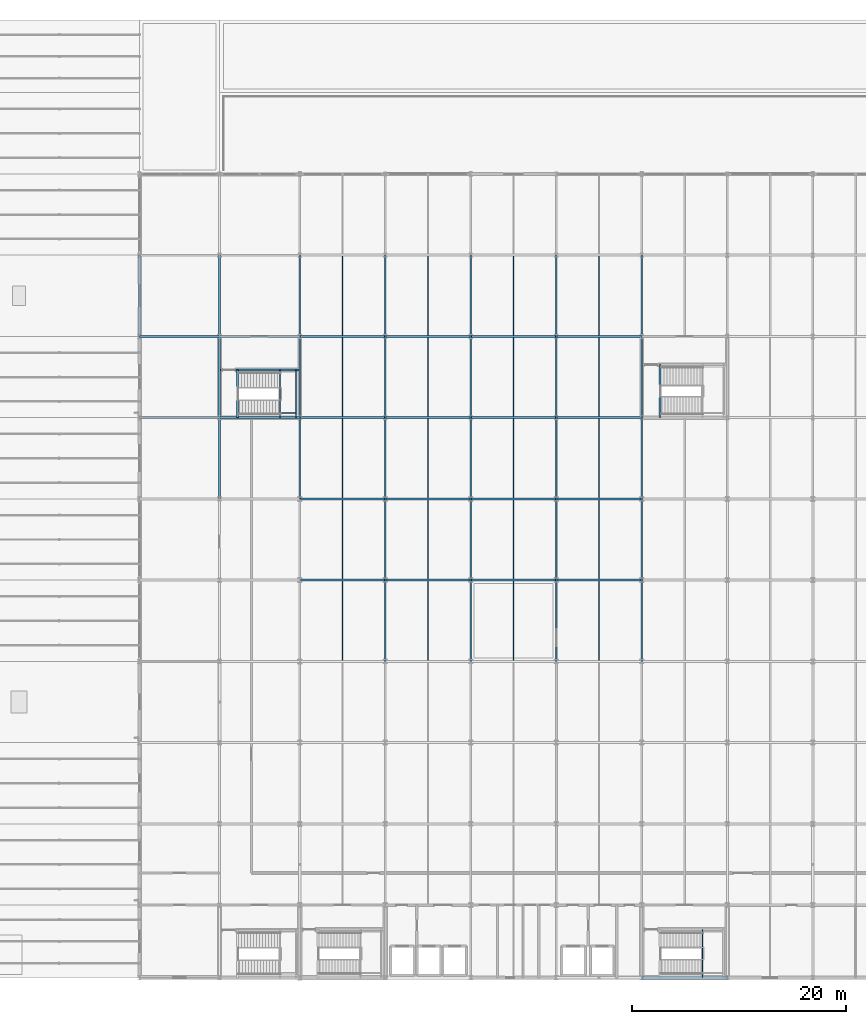
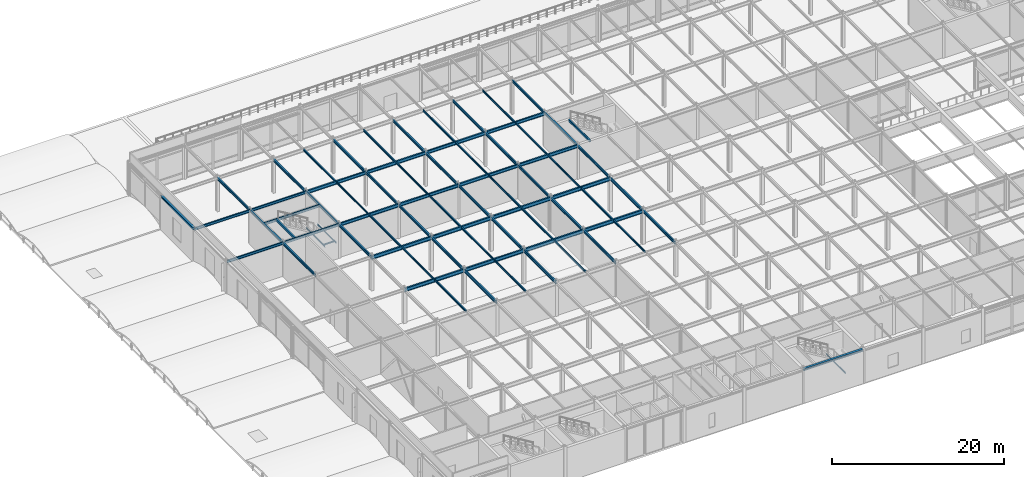
# One storey, part 21 of 79: 75 beams.
"""IFC4 building model written with IfcOpenShell, lengths in metres."""

from ifc_helpers import new_model, si_unit, direction, frame, origin, origin_2d, place, context, subcontext, project, spatial, hollow_rectangle, i_section, extrude, material, material_profile, profile_set, type_object, element, save


model = new_model("IFC4")

# Units and contexts
model_context = context("Model", 3, precision=1e-05, world=origin(), true_north=direction((0.0, 1.0)))
body_context = subcontext(model_context, "Body", "Model", "MODEL_VIEW")
ifc_project = project(units=[si_unit("LENGTHUNIT", "METRE"), si_unit("AREAUNIT", "SQUARE_METRE"), si_unit("VOLUMEUNIT", "CUBIC_METRE"), si_unit("PLANEANGLEUNIT", "RADIAN"), si_unit("MASSUNIT", "GRAM", prefix="KILO")], contexts=[model_context])

# Site, building, storey
site_placement = place(None, origin())
site = spatial("IfcSite", under=ifc_project, at=site_placement, CompositionType="ELEMENT")
building_placement = place(site_placement, origin())
building = spatial("IfcBuilding", under=site, at=building_placement, Name="Shalkamar Park Central Library", CompositionType="ELEMENT")
storey_placement = place(building_placement, frame((0.0, 0.0, 10.5)))
storey = spatial("IfcBuildingStorey", under=building, at=storey_placement, Name="L03", CompositionType="ELEMENT", Elevation=10.5)

# Beams
ifc_material = material(Name="Steel S355", Category="steel")
ifc_material_profile_1 = material_profile(ifc_material, i_section(OverallWidth=0.10009765625, OverallDepth=0.199951171875, WebThickness=0.005615234375, FlangeThickness=0.008544921875, FilletRadius=0.011962890625, at=origin_2d()), Name="IPE 200")
ifc_profile_set_1 = profile_set([ifc_material_profile_1], Name="Steel S355")
beam_type_1 = type_object("IfcBeamType", Name="Composite Floor Joist IPE200", PredefinedType="JOIST", material=ifc_profile_set_1)
beam_1_placement = place(storey_placement, frame((202.679931640625, 248.39990234375, 2.169921875), z_axis=(0.0, 1.0, 0.0), x_axis=(-1.0, 0.0, 0.0)))
element("IfcBeam", 1, at=beam_1_placement, inside=storey, type_object=beam_type_1, Name="Stair Half-Landing Beam ST-T2-L03-1", PredefinedType="JOIST", context=body_context, shape_type="SweptSolid", body=[
    extrude(i_section(OverallWidth=0.10009765625, OverallDepth=0.199951171875, WebThickness=0.005615234375, FlangeThickness=0.008544921875, FilletRadius=0.011962890625, at=origin_2d()), origin(), (0.0, 0.0, 1.0), 4.5),
])
for number, where, z_axis, x_axis, name in (
    (2, (163.155029296875, 300.800048828125, 2.169921875), (0.0, 1.0, 0.0), (-1.0, 0.0, 0.0), "Stair Half-Landing Beam ST-P2-L03-1"),
    (3, (164.64501953125, 300.800048828125, 2.169921875), (0.0, 1.0, 0.0), (-1.0, 0.0, 0.0), "Stair Half-Landing Beam ST-P2-L03-2"),
):
    element("IfcBeam", number, at=place(storey_placement, frame(where, z_axis=z_axis, x_axis=x_axis)), inside=storey, type_object=beam_type_1, Name=name, PredefinedType="JOIST", context=body_context, shape_type="SweptSolid", body=[
        extrude(i_section(OverallWidth=0.10009765625, OverallDepth=0.199951171875, WebThickness=0.005615234375, FlangeThickness=0.008544921875, FilletRadius=0.011962890625, at=origin_2d()), origin(), (0.0, 0.0, 1.0), 4.449951171875),
    ])
beam_2_placement = place(storey_placement, frame((163.155029296875, 301.22509765625, 2.169921875), z_axis=(1.0, 0.0, 0.0), x_axis=(0.0, 1.0, 0.0)))
element("IfcBeam", 4, at=beam_2_placement, inside=storey, type_object=beam_type_1, Name="Stair Half-Landing Cross Tie ST-P2-L03-3", PredefinedType="JOIST", context=body_context, shape_type="SweptSolid", body=[
    extrude(i_section(OverallWidth=0.10009765625, OverallDepth=0.199951171875, WebThickness=0.005615234375, FlangeThickness=0.008544921875, FilletRadius=0.011962890625, at=origin_2d()), origin(), (0.0, 0.0, 1.0), 1.489990234375),
])
ifc_material_profile_2 = material_profile(ifc_material, i_section(OverallWidth=0.1201171875, OverallDepth=0.239990234375, WebThickness=0.006103515625, FlangeThickness=0.009765625, FilletRadius=0.014892578125, at=origin_2d()), Name="IPE 240")
ifc_profile_set_2 = profile_set([ifc_material_profile_2], Name="Steel S355")
beam_type_2 = type_object("IfcBeamType", Name="Composite Floor Joist IPE240", PredefinedType="JOIST", material=ifc_profile_set_2)
for number, where, z_axis, x_axis, name in (
    (5, (169.0, 300.89306640625, 4.719970703125), (0.0, 1.0, 0.0), (-1.0, 0.0, 0.0), "Composite Joist 07/J-1 (L03)"),
    (6, (177.0, 300.89306640625, 4.719970703125), (0.0, 1.0, 0.0), (-1.0, 0.0, 0.0), "Composite Joist 08/J-1 (L03)"),
    (7, (185.0, 300.89306640625, 4.719970703125), (0.0, 1.0, 0.0), (-1.0, 0.0, 0.0), "Composite Joist 09/J-1 (L03)"),
    (8, (193.0, 300.89306640625, 4.719970703125), (0.0, 1.0, 0.0), (-1.0, 0.0, 0.0), "Composite Joist 10/J-1 (L03)"),
):
    element("IfcBeam", number, at=place(storey_placement, frame(where, z_axis=z_axis, x_axis=x_axis)), inside=storey, type_object=beam_type_2, Name=name, PredefinedType="JOIST", context=body_context, shape_type="SweptSolid", body=[
        extrude(i_section(OverallWidth=0.1201171875, OverallDepth=0.239990234375, WebThickness=0.006103515625, FlangeThickness=0.009765625, FilletRadius=0.014892578125, at=origin_2d()), origin(), (0.0, 0.0, 1.0), 7.413818359375),
    ])
ifc_material_profile_3 = material_profile(ifc_material, i_section(OverallWidth=0.135009765625, OverallDepth=0.27001953125, WebThickness=0.006591796875, FlangeThickness=0.01025390625, FilletRadius=0.014892578125, at=origin_2d()), Name="IPE 270")
ifc_profile_set_3 = profile_set([ifc_material_profile_3], Name="Steel S355")
beam_type_3 = type_object("IfcBeamType", Name="Composite Floor Joist IPE270", PredefinedType="JOIST", material=ifc_profile_set_3)
for number, where, z_axis, x_axis, name in (
    (9, (169.0, 278.097900390625, 4.705078125), (0.0, 1.0, 0.0), (-1.0, 0.0, 0.0), "Composite Joist 07/F-1 (L03)"),
    (10, (169.0, 285.697998046875, 4.705078125), (0.0, 1.0, 0.0), (-1.0, 0.0, 0.0), "Composite Joist 07/G-1 (L03)"),
):
    element("IfcBeam", number, at=place(storey_placement, frame(where, z_axis=z_axis, x_axis=x_axis)), inside=storey, type_object=beam_type_3, Name=name, PredefinedType="JOIST", context=body_context, shape_type="SweptSolid", body=[
        extrude(i_section(OverallWidth=0.135009765625, OverallDepth=0.27001953125, WebThickness=0.006591796875, FlangeThickness=0.01025390625, FilletRadius=0.014892578125, at=origin_2d()), origin(), (0.0, 0.0, 1.0), 7.404052734375),
    ])
beam_3_placement = place(storey_placement, frame((169.0, 293.298095703125, 4.705078125), z_axis=(0.0, 1.0, 0.0), x_axis=(-1.0, 0.0, 0.0)))
element("IfcBeam", 11, at=beam_3_placement, inside=storey, type_object=beam_type_3, Name="Composite Joist 07/H-1 (L03)", PredefinedType="JOIST", context=body_context, shape_type="SweptSolid", body=[
    extrude(i_section(OverallWidth=0.135009765625, OverallDepth=0.27001953125, WebThickness=0.006591796875, FlangeThickness=0.01025390625, FilletRadius=0.014892578125, at=origin_2d()), origin(), (0.0, 0.0, 1.0), 7.408935546875),
])
beam_4_placement = place(storey_placement, frame((169.0, 308.492919921875, 4.705078125), z_axis=(0.0, 1.0, 0.0), x_axis=(-1.0, 0.0, 0.0)))
element("IfcBeam", 12, at=beam_4_placement, inside=storey, type_object=beam_type_3, Name="Composite Joist 07/K-1 (L03)", PredefinedType="JOIST", context=body_context, shape_type="SweptSolid", body=[
    extrude(i_section(OverallWidth=0.135009765625, OverallDepth=0.27001953125, WebThickness=0.006591796875, FlangeThickness=0.01025390625, FilletRadius=0.014892578125, at=origin_2d()), origin(), (0.0, 0.0, 1.0), 7.4140625),
])
for number, where, z_axis, x_axis, name in (
    (13, (177.0, 278.097900390625, 4.705078125), (0.0, 1.0, 0.0), (-1.0, 0.0, 0.0), "Composite Joist 08/F-1 (L03)"),
    (14, (177.0, 285.697998046875, 4.705078125), (0.0, 1.0, 0.0), (-1.0, 0.0, 0.0), "Composite Joist 08/G-1 (L03)"),
):
    element("IfcBeam", number, at=place(storey_placement, frame(where, z_axis=z_axis, x_axis=x_axis)), inside=storey, type_object=beam_type_3, Name=name, PredefinedType="JOIST", context=body_context, shape_type="SweptSolid", body=[
        extrude(i_section(OverallWidth=0.135009765625, OverallDepth=0.27001953125, WebThickness=0.006591796875, FlangeThickness=0.01025390625, FilletRadius=0.014892578125, at=origin_2d()), origin(), (0.0, 0.0, 1.0), 7.404052734375),
    ])
beam_5_placement = place(storey_placement, frame((177.0, 293.298095703125, 4.705078125), z_axis=(0.0, 1.0, 0.0), x_axis=(-1.0, 0.0, 0.0)))
element("IfcBeam", 15, at=beam_5_placement, inside=storey, type_object=beam_type_3, Name="Composite Joist 08/H-1 (L03)", PredefinedType="JOIST", context=body_context, shape_type="SweptSolid", body=[
    extrude(i_section(OverallWidth=0.135009765625, OverallDepth=0.27001953125, WebThickness=0.006591796875, FlangeThickness=0.01025390625, FilletRadius=0.014892578125, at=origin_2d()), origin(), (0.0, 0.0, 1.0), 7.408935546875),
])
beam_6_placement = place(storey_placement, frame((177.0, 308.492919921875, 4.705078125), z_axis=(0.0, 1.0, 0.0), x_axis=(-1.0, 0.0, 0.0)))
element("IfcBeam", 16, at=beam_6_placement, inside=storey, type_object=beam_type_3, Name="Composite Joist 08/K-1 (L03)", PredefinedType="JOIST", context=body_context, shape_type="SweptSolid", body=[
    extrude(i_section(OverallWidth=0.135009765625, OverallDepth=0.27001953125, WebThickness=0.006591796875, FlangeThickness=0.01025390625, FilletRadius=0.014892578125, at=origin_2d()), origin(), (0.0, 0.0, 1.0), 7.4140625),
])
for number, where, z_axis, x_axis, name in (
    (17, (185.0, 278.097900390625, 4.705078125), (0.0, 1.0, 0.0), (-1.0, 0.0, 0.0), "Composite Joist 09/F-1 (L03)"),
    (18, (185.0, 285.697998046875, 4.705078125), (0.0, 1.0, 0.0), (-1.0, 0.0, 0.0), "Composite Joist 09/G-1 (L03)"),
):
    element("IfcBeam", number, at=place(storey_placement, frame(where, z_axis=z_axis, x_axis=x_axis)), inside=storey, type_object=beam_type_3, Name=name, PredefinedType="JOIST", context=body_context, shape_type="SweptSolid", body=[
        extrude(i_section(OverallWidth=0.135009765625, OverallDepth=0.27001953125, WebThickness=0.006591796875, FlangeThickness=0.01025390625, FilletRadius=0.014892578125, at=origin_2d()), origin(), (0.0, 0.0, 1.0), 7.404052734375),
    ])
beam_7_placement = place(storey_placement, frame((185.0, 293.298095703125, 4.705078125), z_axis=(0.0, 1.0, 0.0), x_axis=(-1.0, 0.0, 0.0)))
element("IfcBeam", 19, at=beam_7_placement, inside=storey, type_object=beam_type_3, Name="Composite Joist 09/H-1 (L03)", PredefinedType="JOIST", context=body_context, shape_type="SweptSolid", body=[
    extrude(i_section(OverallWidth=0.135009765625, OverallDepth=0.27001953125, WebThickness=0.006591796875, FlangeThickness=0.01025390625, FilletRadius=0.014892578125, at=origin_2d()), origin(), (0.0, 0.0, 1.0), 7.408935546875),
])
beam_8_placement = place(storey_placement, frame((185.0, 308.492919921875, 4.705078125), z_axis=(0.0, 1.0, 0.0), x_axis=(-1.0, 0.0, 0.0)))
element("IfcBeam", 20, at=beam_8_placement, inside=storey, type_object=beam_type_3, Name="Composite Joist 09/K-1 (L03)", PredefinedType="JOIST", context=body_context, shape_type="SweptSolid", body=[
    extrude(i_section(OverallWidth=0.135009765625, OverallDepth=0.27001953125, WebThickness=0.006591796875, FlangeThickness=0.01025390625, FilletRadius=0.014892578125, at=origin_2d()), origin(), (0.0, 0.0, 1.0), 7.4140625),
])
for number, where, z_axis, x_axis, name in (
    (21, (193.0, 278.097900390625, 4.705078125), (0.0, 1.0, 0.0), (-1.0, 0.0, 0.0), "Composite Joist 10/F-1 (L03)"),
    (22, (193.0, 285.697998046875, 4.705078125), (0.0, 1.0, 0.0), (-1.0, 0.0, 0.0), "Composite Joist 10/G-1 (L03)"),
):
    element("IfcBeam", number, at=place(storey_placement, frame(where, z_axis=z_axis, x_axis=x_axis)), inside=storey, type_object=beam_type_3, Name=name, PredefinedType="JOIST", context=body_context, shape_type="SweptSolid", body=[
        extrude(i_section(OverallWidth=0.135009765625, OverallDepth=0.27001953125, WebThickness=0.006591796875, FlangeThickness=0.01025390625, FilletRadius=0.014892578125, at=origin_2d()), origin(), (0.0, 0.0, 1.0), 7.404052734375),
    ])
beam_9_placement = place(storey_placement, frame((193.0, 293.298095703125, 4.705078125), z_axis=(0.0, 1.0, 0.0), x_axis=(-1.0, 0.0, 0.0)))
element("IfcBeam", 23, at=beam_9_placement, inside=storey, type_object=beam_type_3, Name="Composite Joist 10/H-1 (L03)", PredefinedType="JOIST", context=body_context, shape_type="SweptSolid", body=[
    extrude(i_section(OverallWidth=0.135009765625, OverallDepth=0.27001953125, WebThickness=0.006591796875, FlangeThickness=0.01025390625, FilletRadius=0.014892578125, at=origin_2d()), origin(), (0.0, 0.0, 1.0), 7.408935546875),
])
beam_10_placement = place(storey_placement, frame((193.0, 308.492919921875, 4.705078125), z_axis=(0.0, 1.0, 0.0), x_axis=(-1.0, 0.0, 0.0)))
element("IfcBeam", 24, at=beam_10_placement, inside=storey, type_object=beam_type_3, Name="Composite Joist 10/K-1 (L03)", PredefinedType="JOIST", context=body_context, shape_type="SweptSolid", body=[
    extrude(i_section(OverallWidth=0.135009765625, OverallDepth=0.27001953125, WebThickness=0.006591796875, FlangeThickness=0.01025390625, FilletRadius=0.014892578125, at=origin_2d()), origin(), (0.0, 0.0, 1.0), 7.4140625),
])
ifc_material_profile_4 = material_profile(ifc_material, i_section(OverallWidth=0.280029296875, OverallDepth=0.27001953125, WebThickness=0.008056640625, FlangeThickness=0.012939453125, FilletRadius=0.02392578125, at=origin_2d()), Name="HEA 280")
ifc_profile_set_4 = profile_set([ifc_material_profile_4], Name="Steel S355")
beam_type_4 = type_object("IfcBeamType", Name="Perimeter Spandrel Beam HEA280", PredefinedType="SPANDREL", material=ifc_profile_set_4)
beam_11_placement = place(storey_placement, frame((150.0, 308.39990234375, 4.715087890625), z_axis=(0.0, 1.0, 0.0), x_axis=(-1.0, 0.0, 0.0)))
element("IfcBeam", 25, at=beam_11_placement, inside=storey, type_object=beam_type_4, Name="Beam 05:K-L (L03)", PredefinedType="SPANDREL", context=body_context, shape_type="SweptSolid", body=[
    extrude(i_section(OverallWidth=0.280029296875, OverallDepth=0.27001953125, WebThickness=0.008056640625, FlangeThickness=0.012939453125, FilletRadius=0.02392578125, at=origin_2d()), origin(), (0.0, 0.0, 1.0), 7.60009765625),
])
ifc_material_profile_5 = material_profile(ifc_material, i_section(OverallWidth=0.300048828125, OverallDepth=0.31005859375, WebThickness=0.009033203125, FlangeThickness=0.015380859375, FilletRadius=0.027099609375, at=origin_2d()), Name="HEA 320")
ifc_profile_set_5 = profile_set([ifc_material_profile_5], Name="Steel S355")
beam_type_5 = type_object("IfcBeamType", Name="Perimeter Spandrel Beam HEA320", PredefinedType="SPANDREL", material=ifc_profile_set_5)
beam_12_placement = place(storey_placement, frame((197.0, 248.39990234375, 4.68505859375), z_axis=(1.0, 0.0, 0.0), x_axis=(0.0, 1.0, 0.0)))
element("IfcBeam", 26, at=beam_12_placement, inside=storey, type_object=beam_type_5, Name="Beam B:11-12 (L03)", PredefinedType="SPANDREL", context=body_context, shape_type="SweptSolid", body=[
    extrude(i_section(OverallWidth=0.300048828125, OverallDepth=0.31005859375, WebThickness=0.009033203125, FlangeThickness=0.015380859375, FilletRadius=0.027099609375, at=origin_2d()), origin(), (0.0, 0.0, 1.0), 8.0),
])
ifc_material_profile_6 = material_profile(ifc_material, i_section(OverallWidth=0.169921875, OverallDepth=0.360107421875, WebThickness=0.008056640625, FlangeThickness=0.0126953125, FilletRadius=0.01806640625, at=origin_2d()), Name="IPE 360")
ifc_profile_set_6 = profile_set([ifc_material_profile_6], Name="Steel S355")
beam_type_6 = type_object("IfcBeamType", Name="Primary Girder IPE360", PredefinedType="BEAM", material=ifc_profile_set_6)
for number, where, z_axis, x_axis, name in (
    (27, (150.0, 300.800048828125, 4.659912109375), (1.0, 0.0, 0.0), (0.0, 1.0, 0.0), "Beam J:05-06 (L03)"),
    (28, (157.5, 300.800048828125, 4.659912109375), (1.0, 0.0, 0.0), (0.0, 1.0, 0.0), "Beam J:06-07 (L03)"),
    (29, (150.0, 308.39990234375, 4.659912109375), (1.0, 0.0, 0.0), (0.0, 1.0, 0.0), "Beam K:05-06 (L03)"),
    (30, (157.5, 308.39990234375, 4.659912109375), (1.0, 0.0, 0.0), (0.0, 1.0, 0.0), "Beam K:06-07 (L03)"),
):
    element("IfcBeam", number, at=place(storey_placement, frame(where, z_axis=z_axis, x_axis=x_axis)), inside=storey, type_object=beam_type_6, Name=name, PredefinedType="BEAM", context=body_context, shape_type="SweptSolid", body=[
        extrude(i_section(OverallWidth=0.169921875, OverallDepth=0.360107421875, WebThickness=0.008056640625, FlangeThickness=0.0126953125, FilletRadius=0.01806640625, at=origin_2d()), origin(), (0.0, 0.0, 1.0), 7.5),
    ])
beam_13_placement = place(storey_placement, frame((157.5, 293.199951171875, 4.659912109375), z_axis=(0.0, 1.0, 0.0), x_axis=(-1.0, 0.0, 0.0)))
element("IfcBeam", 31, at=beam_13_placement, inside=storey, type_object=beam_type_6, Name="Beam 06:H-J (L03)", PredefinedType="BEAM", context=body_context, shape_type="SweptSolid", body=[
    extrude(i_section(OverallWidth=0.169921875, OverallDepth=0.360107421875, WebThickness=0.008056640625, FlangeThickness=0.0126953125, FilletRadius=0.01806640625, at=origin_2d()), origin(), (0.0, 0.0, 1.0), 7.60009765625),
])
beam_14_placement = place(storey_placement, frame((157.5, 300.800048828125, 4.659912109375), z_axis=(0.0, 1.0, 0.0), x_axis=(-1.0, 0.0, 0.0)))
element("IfcBeam", 32, at=beam_14_placement, inside=storey, type_object=beam_type_6, Name="Beam 06:J-K (L03)", PredefinedType="BEAM", context=body_context, shape_type="SweptSolid", body=[
    extrude(i_section(OverallWidth=0.169921875, OverallDepth=0.360107421875, WebThickness=0.008056640625, FlangeThickness=0.0126953125, FilletRadius=0.01806640625, at=origin_2d()), origin(), (0.0, 0.0, 1.0), 7.599853515625),
])
for number, where, z_axis, x_axis, name in (
    (33, (157.5, 308.39990234375, 4.659912109375), (0.0, 1.0, 0.0), (-1.0, 0.0, 0.0), "Beam 06:K-L (L03)"),
    (34, (165.0, 293.199951171875, 4.659912109375), (0.0, 1.0, 0.0), (-1.0, 0.0, 0.0), "Beam 07:H-J (L03)"),
):
    element("IfcBeam", number, at=place(storey_placement, frame(where, z_axis=z_axis, x_axis=x_axis)), inside=storey, type_object=beam_type_6, Name=name, PredefinedType="BEAM", context=body_context, shape_type="SweptSolid", body=[
        extrude(i_section(OverallWidth=0.169921875, OverallDepth=0.360107421875, WebThickness=0.008056640625, FlangeThickness=0.0126953125, FilletRadius=0.01806640625, at=origin_2d()), origin(), (0.0, 0.0, 1.0), 7.60009765625),
    ])
beam_15_placement = place(storey_placement, frame((165.0, 300.800048828125, 4.659912109375), z_axis=(0.0, 1.0, 0.0), x_axis=(-1.0, 0.0, 0.0)))
element("IfcBeam", 35, at=beam_15_placement, inside=storey, type_object=beam_type_6, Name="Beam 07:J-K (L03)", PredefinedType="BEAM", context=body_context, shape_type="SweptSolid", body=[
    extrude(i_section(OverallWidth=0.169921875, OverallDepth=0.360107421875, WebThickness=0.008056640625, FlangeThickness=0.0126953125, FilletRadius=0.01806640625, at=origin_2d()), origin(), (0.0, 0.0, 1.0), 7.599853515625),
])
for number, where, z_axis, x_axis, name in (
    (36, (165.0, 308.39990234375, 4.659912109375), (0.0, 1.0, 0.0), (-1.0, 0.0, 0.0), "Beam 07:K-L (L03)"),
    (37, (173.0, 293.199951171875, 4.659912109375), (0.0, 1.0, 0.0), (-1.0, 0.0, 0.0), "Beam 08:H-J (L03)"),
):
    element("IfcBeam", number, at=place(storey_placement, frame(where, z_axis=z_axis, x_axis=x_axis)), inside=storey, type_object=beam_type_6, Name=name, PredefinedType="BEAM", context=body_context, shape_type="SweptSolid", body=[
        extrude(i_section(OverallWidth=0.169921875, OverallDepth=0.360107421875, WebThickness=0.008056640625, FlangeThickness=0.0126953125, FilletRadius=0.01806640625, at=origin_2d()), origin(), (0.0, 0.0, 1.0), 7.60009765625),
    ])
beam_16_placement = place(storey_placement, frame((173.0, 300.800048828125, 4.659912109375), z_axis=(0.0, 1.0, 0.0), x_axis=(-1.0, 0.0, 0.0)))
element("IfcBeam", 38, at=beam_16_placement, inside=storey, type_object=beam_type_6, Name="Beam 08:J-K (L03)", PredefinedType="BEAM", context=body_context, shape_type="SweptSolid", body=[
    extrude(i_section(OverallWidth=0.169921875, OverallDepth=0.360107421875, WebThickness=0.008056640625, FlangeThickness=0.0126953125, FilletRadius=0.01806640625, at=origin_2d()), origin(), (0.0, 0.0, 1.0), 7.599853515625),
])
for number, where, z_axis, x_axis, name in (
    (39, (173.0, 308.39990234375, 4.659912109375), (0.0, 1.0, 0.0), (-1.0, 0.0, 0.0), "Beam 08:K-L (L03)"),
    (40, (181.0, 293.199951171875, 4.659912109375), (0.0, 1.0, 0.0), (-1.0, 0.0, 0.0), "Beam 09:H-J (L03)"),
):
    element("IfcBeam", number, at=place(storey_placement, frame(where, z_axis=z_axis, x_axis=x_axis)), inside=storey, type_object=beam_type_6, Name=name, PredefinedType="BEAM", context=body_context, shape_type="SweptSolid", body=[
        extrude(i_section(OverallWidth=0.169921875, OverallDepth=0.360107421875, WebThickness=0.008056640625, FlangeThickness=0.0126953125, FilletRadius=0.01806640625, at=origin_2d()), origin(), (0.0, 0.0, 1.0), 7.60009765625),
    ])
beam_17_placement = place(storey_placement, frame((181.0, 300.800048828125, 4.659912109375), z_axis=(0.0, 1.0, 0.0), x_axis=(-1.0, 0.0, 0.0)))
element("IfcBeam", 41, at=beam_17_placement, inside=storey, type_object=beam_type_6, Name="Beam 09:J-K (L03)", PredefinedType="BEAM", context=body_context, shape_type="SweptSolid", body=[
    extrude(i_section(OverallWidth=0.169921875, OverallDepth=0.360107421875, WebThickness=0.008056640625, FlangeThickness=0.0126953125, FilletRadius=0.01806640625, at=origin_2d()), origin(), (0.0, 0.0, 1.0), 7.599853515625),
])
for number, where, z_axis, x_axis, name in (
    (42, (181.0, 308.39990234375, 4.659912109375), (0.0, 1.0, 0.0), (-1.0, 0.0, 0.0), "Beam 09:K-L (L03)"),
    (43, (189.0, 293.199951171875, 4.659912109375), (0.0, 1.0, 0.0), (-1.0, 0.0, 0.0), "Beam 10:H-J (L03)"),
):
    element("IfcBeam", number, at=place(storey_placement, frame(where, z_axis=z_axis, x_axis=x_axis)), inside=storey, type_object=beam_type_6, Name=name, PredefinedType="BEAM", context=body_context, shape_type="SweptSolid", body=[
        extrude(i_section(OverallWidth=0.169921875, OverallDepth=0.360107421875, WebThickness=0.008056640625, FlangeThickness=0.0126953125, FilletRadius=0.01806640625, at=origin_2d()), origin(), (0.0, 0.0, 1.0), 7.60009765625),
    ])
beam_18_placement = place(storey_placement, frame((189.0, 300.800048828125, 4.659912109375), z_axis=(0.0, 1.0, 0.0), x_axis=(-1.0, 0.0, 0.0)))
element("IfcBeam", 44, at=beam_18_placement, inside=storey, type_object=beam_type_6, Name="Beam 10:J-K (L03)", PredefinedType="BEAM", context=body_context, shape_type="SweptSolid", body=[
    extrude(i_section(OverallWidth=0.169921875, OverallDepth=0.360107421875, WebThickness=0.008056640625, FlangeThickness=0.0126953125, FilletRadius=0.01806640625, at=origin_2d()), origin(), (0.0, 0.0, 1.0), 7.599853515625),
])
for number, where, z_axis, x_axis, name in (
    (45, (189.0, 308.39990234375, 4.659912109375), (0.0, 1.0, 0.0), (-1.0, 0.0, 0.0), "Beam 10:K-L (L03)"),
    (46, (197.0, 293.199951171875, 4.659912109375), (0.0, 1.0, 0.0), (-1.0, 0.0, 0.0), "Beam 11:H-J (L03)"),
):
    element("IfcBeam", number, at=place(storey_placement, frame(where, z_axis=z_axis, x_axis=x_axis)), inside=storey, type_object=beam_type_6, Name=name, PredefinedType="BEAM", context=body_context, shape_type="SweptSolid", body=[
        extrude(i_section(OverallWidth=0.169921875, OverallDepth=0.360107421875, WebThickness=0.008056640625, FlangeThickness=0.0126953125, FilletRadius=0.01806640625, at=origin_2d()), origin(), (0.0, 0.0, 1.0), 7.60009765625),
    ])
beam_19_placement = place(storey_placement, frame((197.0, 300.800048828125, 4.659912109375), z_axis=(0.0, 1.0, 0.0), x_axis=(-1.0, 0.0, 0.0)))
element("IfcBeam", 47, at=beam_19_placement, inside=storey, type_object=beam_type_6, Name="Beam 11:J-K (L03)", PredefinedType="BEAM", context=body_context, shape_type="SweptSolid", body=[
    extrude(i_section(OverallWidth=0.169921875, OverallDepth=0.360107421875, WebThickness=0.008056640625, FlangeThickness=0.0126953125, FilletRadius=0.01806640625, at=origin_2d()), origin(), (0.0, 0.0, 1.0), 7.599853515625),
])
beam_20_placement = place(storey_placement, frame((197.0, 308.39990234375, 4.659912109375), z_axis=(0.0, 1.0, 0.0), x_axis=(-1.0, 0.0, 0.0)))
element("IfcBeam", 48, at=beam_20_placement, inside=storey, type_object=beam_type_6, Name="Beam 11:K-L (L03)", PredefinedType="BEAM", context=body_context, shape_type="SweptSolid", body=[
    extrude(i_section(OverallWidth=0.169921875, OverallDepth=0.360107421875, WebThickness=0.008056640625, FlangeThickness=0.0126953125, FilletRadius=0.01806640625, at=origin_2d()), origin(), (0.0, 0.0, 1.0), 7.60009765625),
])
beam_21_placement = place(storey_placement, frame((157.587890625, 305.25, 4.659912109375), z_axis=(1.0, 0.0, 0.0), x_axis=(0.0, 1.0, 0.0)))
element("IfcBeam", 49, at=beam_21_placement, inside=storey, type_object=beam_type_6, Name="CORE-P2 Stairwell Divider Beam (L03)", PredefinedType="BEAM", context=body_context, shape_type="SweptSolid", body=[
    extrude(i_section(OverallWidth=0.169921875, OverallDepth=0.360107421875, WebThickness=0.008056640625, FlangeThickness=0.0126953125, FilletRadius=0.01806640625, at=origin_2d()), origin(), (0.0, 0.0, 1.0), 7.32421875),
])
ifc_material_profile_7 = material_profile(ifc_material, i_section(OverallWidth=0.179931640625, OverallDepth=0.39990234375, WebThickness=0.008544921875, FlangeThickness=0.013427734375, FilletRadius=0.02099609375, at=origin_2d()), Name="IPE 400")
ifc_profile_set_7 = profile_set([ifc_material_profile_7], Name="Steel S355")
beam_type_7 = type_object("IfcBeamType", Name="Primary Girder IPE400", PredefinedType="BEAM", material=ifc_profile_set_7)
beam_22_placement = place(storey_placement, frame((173.0, 278.0, 4.639892578125), z_axis=(0.0, 1.0, 0.0), x_axis=(-1.0, 0.0, 0.0)))
element("IfcBeam", 50, at=beam_22_placement, inside=storey, type_object=beam_type_7, Name="Beam 08:F-G (L03)", PredefinedType="BEAM", context=body_context, shape_type="SweptSolid", body=[
    extrude(i_section(OverallWidth=0.179931640625, OverallDepth=0.39990234375, WebThickness=0.008544921875, FlangeThickness=0.013427734375, FilletRadius=0.02099609375, at=origin_2d()), origin(), (0.0, 0.0, 1.0), 7.60009765625),
])
beam_23_placement = place(storey_placement, frame((173.0, 285.60009765625, 4.639892578125), z_axis=(0.0, 1.0, 0.0), x_axis=(-1.0, 0.0, 0.0)))
element("IfcBeam", 51, at=beam_23_placement, inside=storey, type_object=beam_type_7, Name="Beam 08:G-H (L03)", PredefinedType="BEAM", context=body_context, shape_type="SweptSolid", body=[
    extrude(i_section(OverallWidth=0.179931640625, OverallDepth=0.39990234375, WebThickness=0.008544921875, FlangeThickness=0.013427734375, FilletRadius=0.02099609375, at=origin_2d()), origin(), (0.0, 0.0, 1.0), 7.599853515625),
])
beam_24_placement = place(storey_placement, frame((181.0, 278.0, 4.639892578125), z_axis=(0.0, 1.0, 0.0), x_axis=(-1.0, 0.0, 0.0)))
element("IfcBeam", 52, at=beam_24_placement, inside=storey, type_object=beam_type_7, Name="Beam 09:F-G (L03)", PredefinedType="BEAM", context=body_context, shape_type="SweptSolid", body=[
    extrude(i_section(OverallWidth=0.179931640625, OverallDepth=0.39990234375, WebThickness=0.008544921875, FlangeThickness=0.013427734375, FilletRadius=0.02099609375, at=origin_2d()), origin(), (0.0, 0.0, 1.0), 7.60009765625),
])
beam_25_placement = place(storey_placement, frame((181.0, 285.60009765625, 4.639892578125), z_axis=(0.0, 1.0, 0.0), x_axis=(-1.0, 0.0, 0.0)))
element("IfcBeam", 53, at=beam_25_placement, inside=storey, type_object=beam_type_7, Name="Beam 09:G-H (L03)", PredefinedType="BEAM", context=body_context, shape_type="SweptSolid", body=[
    extrude(i_section(OverallWidth=0.179931640625, OverallDepth=0.39990234375, WebThickness=0.008544921875, FlangeThickness=0.013427734375, FilletRadius=0.02099609375, at=origin_2d()), origin(), (0.0, 0.0, 1.0), 7.599853515625),
])
beam_26_placement = place(storey_placement, frame((189.0, 278.0, 4.639892578125), z_axis=(0.0, 1.0, 0.0), x_axis=(-1.0, 0.0, 0.0)))
element("IfcBeam", 54, at=beam_26_placement, inside=storey, type_object=beam_type_7, Name="Beam 10:F-G (L03)", PredefinedType="BEAM", context=body_context, shape_type="SweptSolid", body=[
    extrude(i_section(OverallWidth=0.179931640625, OverallDepth=0.39990234375, WebThickness=0.008544921875, FlangeThickness=0.013427734375, FilletRadius=0.02099609375, at=origin_2d()), origin(), (0.0, 0.0, 1.0), 7.60009765625),
])
beam_27_placement = place(storey_placement, frame((189.0, 285.60009765625, 4.639892578125), z_axis=(0.0, 1.0, 0.0), x_axis=(-1.0, 0.0, 0.0)))
element("IfcBeam", 55, at=beam_27_placement, inside=storey, type_object=beam_type_7, Name="Beam 10:G-H (L03)", PredefinedType="BEAM", context=body_context, shape_type="SweptSolid", body=[
    extrude(i_section(OverallWidth=0.179931640625, OverallDepth=0.39990234375, WebThickness=0.008544921875, FlangeThickness=0.013427734375, FilletRadius=0.02099609375, at=origin_2d()), origin(), (0.0, 0.0, 1.0), 7.599853515625),
])
beam_28_placement = place(storey_placement, frame((197.0, 278.0, 4.639892578125), z_axis=(0.0, 1.0, 0.0), x_axis=(-1.0, 0.0, 0.0)))
element("IfcBeam", 56, at=beam_28_placement, inside=storey, type_object=beam_type_7, Name="Beam 11:F-G (L03)", PredefinedType="BEAM", context=body_context, shape_type="SweptSolid", body=[
    extrude(i_section(OverallWidth=0.179931640625, OverallDepth=0.39990234375, WebThickness=0.008544921875, FlangeThickness=0.013427734375, FilletRadius=0.02099609375, at=origin_2d()), origin(), (0.0, 0.0, 1.0), 7.60009765625),
])
beam_29_placement = place(storey_placement, frame((197.0, 285.60009765625, 4.639892578125), z_axis=(0.0, 1.0, 0.0), x_axis=(-1.0, 0.0, 0.0)))
element("IfcBeam", 57, at=beam_29_placement, inside=storey, type_object=beam_type_7, Name="Beam 11:G-H (L03)", PredefinedType="BEAM", context=body_context, shape_type="SweptSolid", body=[
    extrude(i_section(OverallWidth=0.179931640625, OverallDepth=0.39990234375, WebThickness=0.008544921875, FlangeThickness=0.013427734375, FilletRadius=0.02099609375, at=origin_2d()), origin(), (0.0, 0.0, 1.0), 7.599853515625),
])
ifc_material_profile_8 = material_profile(ifc_material, i_section(OverallWidth=0.18994140625, OverallDepth=0.449951171875, WebThickness=0.009521484375, FlangeThickness=0.0146484375, FilletRadius=0.02099609375, at=origin_2d()), Name="IPE 450")
ifc_profile_set_8 = profile_set([ifc_material_profile_8], Name="Steel S355")
beam_type_8 = type_object("IfcBeamType", Name="Primary Girder IPE450", PredefinedType="BEAM", material=ifc_profile_set_8)
for number, where, z_axis, x_axis, name in (
    (58, (165.0, 300.800048828125, 4.614990234375), (1.0, 0.0, 0.0), (0.0, 1.0, 0.0), "Beam J:07-08 (L03)"),
    (59, (173.0, 300.800048828125, 4.614990234375), (1.0, 0.0, 0.0), (0.0, 1.0, 0.0), "Beam J:08-09 (L03)"),
    (60, (181.0, 300.800048828125, 4.614990234375), (1.0, 0.0, 0.0), (0.0, 1.0, 0.0), "Beam J:09-10 (L03)"),
    (61, (189.0, 300.800048828125, 4.614990234375), (1.0, 0.0, 0.0), (0.0, 1.0, 0.0), "Beam J:10-11 (L03)"),
    (62, (165.0, 308.39990234375, 4.614990234375), (1.0, 0.0, 0.0), (0.0, 1.0, 0.0), "Beam K:07-08 (L03)"),
    (63, (173.0, 308.39990234375, 4.614990234375), (1.0, 0.0, 0.0), (0.0, 1.0, 0.0), "Beam K:08-09 (L03)"),
    (64, (181.0, 308.39990234375, 4.614990234375), (1.0, 0.0, 0.0), (0.0, 1.0, 0.0), "Beam K:09-10 (L03)"),
    (65, (189.0, 308.39990234375, 4.614990234375), (1.0, 0.0, 0.0), (0.0, 1.0, 0.0), "Beam K:10-11 (L03)"),
):
    element("IfcBeam", number, at=place(storey_placement, frame(where, z_axis=z_axis, x_axis=x_axis)), inside=storey, type_object=beam_type_8, Name=name, PredefinedType="BEAM", context=body_context, shape_type="SweptSolid", body=[
        extrude(i_section(OverallWidth=0.18994140625, OverallDepth=0.449951171875, WebThickness=0.009521484375, FlangeThickness=0.0146484375, FilletRadius=0.02099609375, at=origin_2d()), origin(), (0.0, 0.0, 1.0), 8.0),
    ])
ifc_material_profile_9 = material_profile(ifc_material, i_section(OverallWidth=0.199951171875, OverallDepth=0.5, WebThickness=0.01025390625, FlangeThickness=0.01611328125, FilletRadius=0.02099609375, at=origin_2d()), Name="IPE 500")
ifc_profile_set_9 = profile_set([ifc_material_profile_9], Name="Steel S355")
beam_type_9 = type_object("IfcBeamType", Name="Primary Girder IPE500", PredefinedType="BEAM", material=ifc_profile_set_9)
for number, where, z_axis, x_axis, name in (
    (66, (165.0, 285.60009765625, 4.590087890625), (1.0, 0.0, 0.0), (0.0, 1.0, 0.0), "Beam G:07-08 (L03)"),
    (67, (173.0, 285.60009765625, 4.590087890625), (1.0, 0.0, 0.0), (0.0, 1.0, 0.0), "Beam G:08-09 (L03)"),
    (68, (181.0, 285.60009765625, 4.590087890625), (1.0, 0.0, 0.0), (0.0, 1.0, 0.0), "Beam G:09-10 (L03)"),
    (69, (189.0, 285.60009765625, 4.590087890625), (1.0, 0.0, 0.0), (0.0, 1.0, 0.0), "Beam G:10-11 (L03)"),
    (70, (165.0, 293.199951171875, 4.590087890625), (1.0, 0.0, 0.0), (0.0, 1.0, 0.0), "Beam H:07-08 (L03)"),
    (71, (173.0, 293.199951171875, 4.590087890625), (1.0, 0.0, 0.0), (0.0, 1.0, 0.0), "Beam H:08-09 (L03)"),
    (72, (181.0, 293.199951171875, 4.590087890625), (1.0, 0.0, 0.0), (0.0, 1.0, 0.0), "Beam H:09-10 (L03)"),
    (73, (189.0, 293.199951171875, 4.590087890625), (1.0, 0.0, 0.0), (0.0, 1.0, 0.0), "Beam H:10-11 (L03)"),
):
    element("IfcBeam", number, at=place(storey_placement, frame(where, z_axis=z_axis, x_axis=x_axis)), inside=storey, type_object=beam_type_9, Name=name, PredefinedType="BEAM", context=body_context, shape_type="SweptSolid", body=[
        extrude(i_section(OverallWidth=0.199951171875, OverallDepth=0.5, WebThickness=0.01025390625, FlangeThickness=0.01611328125, FilletRadius=0.02099609375, at=origin_2d()), origin(), (0.0, 0.0, 1.0), 8.0),
    ])
ifc_material_profile_10 = material_profile(ifc_material, hollow_rectangle(XDim=0.199951171875, YDim=0.300048828125, WallThickness=0.011962890625, InnerFilletRadius=0.011962890625, OuterFilletRadius=0.01806640625, at=origin_2d()), Name="RHS 300x200x12")
ifc_profile_set_10 = profile_set([ifc_material_profile_10], Name="Steel S355")
beam_type_10 = type_object("IfcBeamType", Name="Stair Trimmer Box RHS300x200", PredefinedType="BEAM", material=ifc_profile_set_10)
beam_30_placement = place(storey_placement, frame((159.175048828125, 300.800048828125, 4.68994140625), z_axis=(0.0, 1.0, 0.0), x_axis=(-1.0, 0.0, 0.0)))
element("IfcBeam", 74, at=beam_30_placement, inside=storey, type_object=beam_type_10, Name="Stair Arrival Trimmer Girder ST-P2-L03", PredefinedType="BEAM", context=body_context, shape_type="SweptSolid", body=[
    extrude(hollow_rectangle(XDim=0.199951171875, YDim=0.300048828125, WallThickness=0.011962890625, InnerFilletRadius=0.011962890625, OuterFilletRadius=0.01806640625, at=origin_2d()), origin(), (0.0, 0.0, 1.0), 4.449951171875),
])
beam_31_placement = place(storey_placement, frame((198.695068359375, 300.800048828125, 4.68994140625), z_axis=(0.0, 1.0, 0.0), x_axis=(-1.0, 0.0, 0.0)))
element("IfcBeam", 75, at=beam_31_placement, inside=storey, type_object=beam_type_10, Name="Stair Arrival Trimmer Girder ST-P7-L03", PredefinedType="BEAM", context=body_context, shape_type="SweptSolid", body=[
    extrude(hollow_rectangle(XDim=0.199951171875, YDim=0.300048828125, WallThickness=0.011962890625, InnerFilletRadius=0.011962890625, OuterFilletRadius=0.01806640625, at=origin_2d()), origin(), (0.0, 0.0, 1.0), 4.949951171875),
])

save(model, "model.ifc")
